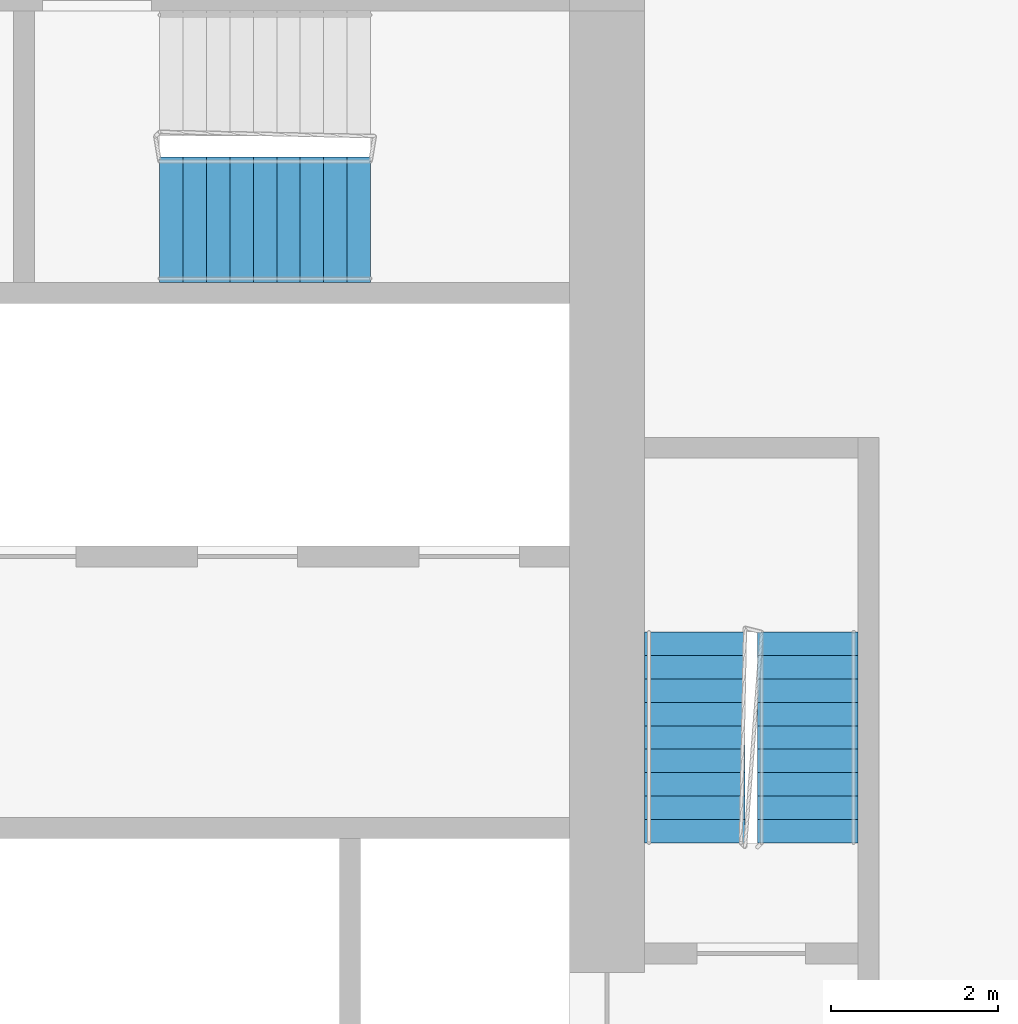
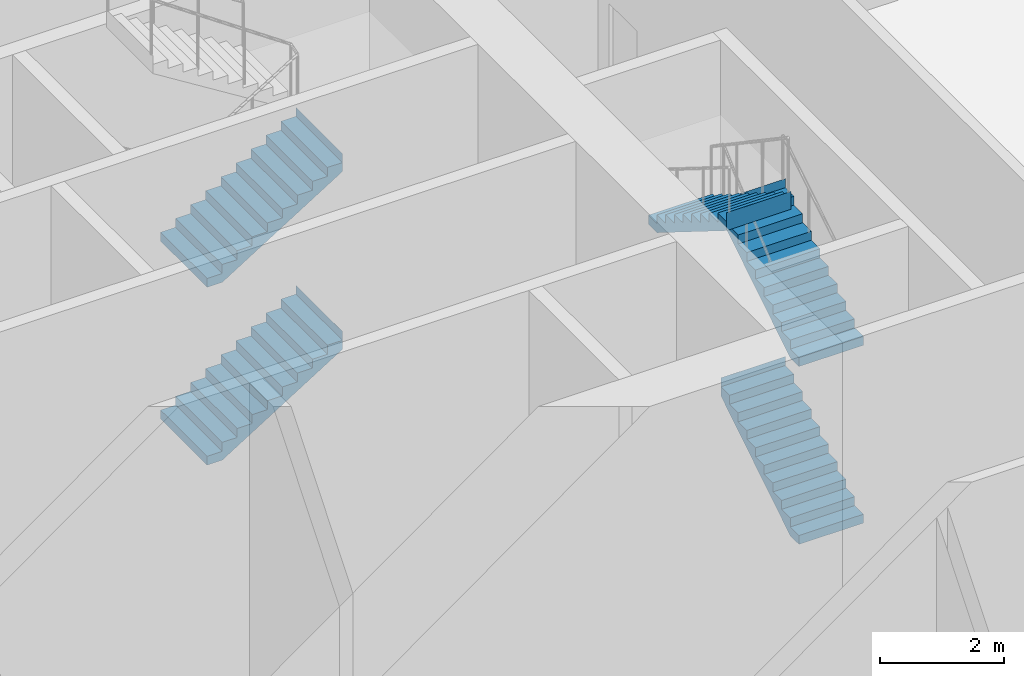
# One storey, part 20 of 23: 5 stair flights, 2 elements without a shape of their own.
"""IFC4 building model written with IfcOpenShell, lengths in metres."""

from ifc_helpers import new_model, si_unit, direction, frame, origin, place, context, subcontext, project, spatial, faceted_brep, material, type_object, element, aggregate, save


model = new_model("IFC4")

# Units and contexts
model_context = context("Model", 3, precision=1e-05, world=origin(), true_north=direction((0.0, 1.0)))
body_context = subcontext(model_context, "Body", "Model", "MODEL_VIEW")
ifc_project = project(units=[si_unit("LENGTHUNIT", "METRE"), si_unit("AREAUNIT", "SQUARE_METRE"), si_unit("VOLUMEUNIT", "CUBIC_METRE"), si_unit("PLANEANGLEUNIT", "RADIAN"), si_unit("MASSUNIT", "GRAM", prefix="KILO")], contexts=[model_context])

# Site, building, storey
site_placement = place(None, origin())
site = spatial("IfcSite", under=ifc_project, at=site_placement, CompositionType="ELEMENT")
building_placement = place(site_placement, origin())
building = spatial("IfcBuilding", under=site, at=building_placement, Name="Kajstack Hotel Tower", CompositionType="ELEMENT")
storey_placement = place(building_placement, frame((0.0, 0.0, 53.0)))
storey = spatial("IfcBuildingStorey", under=building, at=storey_placement, Name="L08", CompositionType="ELEMENT", Elevation=53.0)

# Stair, stair flights
ifc_material = material(Name="Concrete C40/50", Category="concrete")
stair_type_1 = type_object("IfcStairType", Name="Exit stair 1200", PredefinedType="HALF_TURN_STAIR", material=ifc_material)
stair_1_placement = place(storey_placement, origin())
stair_1 = element("IfcStair", 1, at=stair_1_placement, inside=storey, type_object=stair_type_1, Name="L08 stair E1", PredefinedType="HALF_TURN_STAIR")
stair_flight_type_1 = type_object("IfcStairFlightType", Name="Exit stair flight 1200", PredefinedType="STRAIGHT", material=ifc_material)
stair_flight_1_placement = place(storey_placement, frame((33.449951171875, 5.25, 0.0), z_axis=(0.0, 0.0, 1.0), x_axis=(0.0, 1.0, 0.0)))
stair_flight_1 = element("IfcStairFlight", 2, at=stair_flight_1_placement, type_object=stair_flight_type_1, Name="E1 flight 1", NumberOfRisers=10, NumberOfTreads=9, PredefinedType="STRAIGHT", RiserHeight=0.175, TreadLength=0.28, context=body_context, shape_type="Brep", body=[
    faceted_brep([(0.283447265625, -0.60009765625, 0.0), (2.5205078125, -0.60009765625, 1.398193359375), (2.5205078125, -0.60009765625, 1.75), (2.52001953125, -0.60009765625, 1.75), (2.52001953125, -0.60009765625, 1.574951171875), (2.239990234375, -0.60009765625, 1.574951171875), (2.239990234375, -0.60009765625, 1.39990234375), (1.9599609375, -0.60009765625, 1.39990234375), (1.9599609375, -0.60009765625, 1.22509765625), (1.679931640625, -0.60009765625, 1.22509765625), (1.679931640625, -0.60009765625, 1.050048828125), (1.39990234375, -0.60009765625, 1.050048828125), (1.39990234375, -0.60009765625, 0.875), (1.1201171875, -0.60009765625, 0.875), (1.1201171875, -0.60009765625, 0.699951171875), (0.840087890625, -0.60009765625, 0.699951171875), (0.840087890625, -0.60009765625, 0.52490234375), (0.56005859375, -0.60009765625, 0.52490234375), (0.56005859375, -0.60009765625, 0.35009765625), (0.280029296875, -0.60009765625, 0.35009765625), (0.280029296875, -0.60009765625, 0.175048828125), (-0.00048828125, -0.60009765625, 0.175048828125), (-0.00048828125, -0.60009765625, 0.0), (-0.00048828125, 0.60009765625, 0.0), (-0.00048828125, 0.60009765625, 0.175048828125), (0.280029296875, 0.60009765625, 0.175048828125), (0.280029296875, 0.60009765625, 0.35009765625), (0.56005859375, 0.60009765625, 0.35009765625), (0.56005859375, 0.60009765625, 0.52490234375), (0.840087890625, 0.60009765625, 0.52490234375), (0.840087890625, 0.60009765625, 0.699951171875), (1.1201171875, 0.60009765625, 0.699951171875), (1.1201171875, 0.60009765625, 0.875), (1.39990234375, 0.60009765625, 0.875), (1.39990234375, 0.60009765625, 1.050048828125), (1.679931640625, 0.60009765625, 1.050048828125), (1.679931640625, 0.60009765625, 1.22509765625), (1.9599609375, 0.60009765625, 1.22509765625), (1.9599609375, 0.60009765625, 1.39990234375), (2.239990234375, 0.60009765625, 1.39990234375), (2.239990234375, 0.60009765625, 1.574951171875), (2.52001953125, 0.60009765625, 1.574951171875), (2.52001953125, 0.60009765625, 1.75), (2.5205078125, 0.60009765625, 1.75), (2.5205078125, 0.60009765625, 1.398193359375), (0.283447265625, 0.60009765625, 0.0), (-0.00048828125, -0.300048828125, 0.175048828125), (-0.00048828125, 0.0, 0.175048828125), (-0.00048828125, 0.300048828125, 0.175048828125), (-0.00048828125, 0.300048828125, 0.0), (-0.00048828125, 0.0, 0.0), (-0.00048828125, -0.300048828125, 0.0), (0.280029296875, -0.300048828125, 0.175048828125), (0.280029296875, 0.0, 0.175048828125), (0.280029296875, 0.300048828125, 0.175048828125), (0.280029296875, -0.300048828125, 0.35009765625), (0.280029296875, 0.0, 0.35009765625), (0.280029296875, 0.300048828125, 0.35009765625), (0.56005859375, -0.300048828125, 0.35009765625), (0.56005859375, 0.0, 0.35009765625), (0.56005859375, 0.300048828125, 0.35009765625), (0.56005859375, -0.300048828125, 0.52490234375), (0.56005859375, 0.0, 0.52490234375), (0.56005859375, 0.300048828125, 0.52490234375), (0.840087890625, -0.300048828125, 0.52490234375), (0.840087890625, 0.0, 0.52490234375), (0.840087890625, 0.300048828125, 0.52490234375), (0.840087890625, -0.300048828125, 0.699951171875), (0.840087890625, 0.0, 0.699951171875), (0.840087890625, 0.300048828125, 0.699951171875), (1.1201171875, -0.300048828125, 0.699951171875), (1.1201171875, 0.0, 0.699951171875), (1.1201171875, 0.300048828125, 0.699951171875), (1.1201171875, -0.300048828125, 0.875), (1.1201171875, 0.0, 0.875), (1.1201171875, 0.300048828125, 0.875), (1.39990234375, -0.300048828125, 0.875), (1.39990234375, 0.0, 0.875), (1.39990234375, 0.300048828125, 0.875), (1.39990234375, -0.300048828125, 1.050048828125), (1.39990234375, 0.0, 1.050048828125), (1.39990234375, 0.300048828125, 1.050048828125), (1.679931640625, -0.300048828125, 1.050048828125), (1.679931640625, 0.0, 1.050048828125), (1.679931640625, 0.300048828125, 1.050048828125), (1.679931640625, -0.300048828125, 1.22509765625), (1.679931640625, 0.0, 1.22509765625), (1.679931640625, 0.300048828125, 1.22509765625), (1.9599609375, -0.300048828125, 1.22509765625), (1.9599609375, 0.0, 1.22509765625), (1.9599609375, 0.300048828125, 1.22509765625), (1.9599609375, -0.300048828125, 1.39990234375), (1.9599609375, 0.0, 1.39990234375), (1.9599609375, 0.300048828125, 1.39990234375), (2.239990234375, -0.300048828125, 1.39990234375), (2.239990234375, 0.0, 1.39990234375), (2.239990234375, 0.300048828125, 1.39990234375), (2.239990234375, -0.300048828125, 1.574951171875), (2.239990234375, 0.0, 1.574951171875), (2.239990234375, 0.300048828125, 1.574951171875), (2.52001953125, -0.300048828125, 1.574951171875), (2.52001953125, 0.0, 1.574951171875), (2.52001953125, 0.300048828125, 1.574951171875), (2.52001953125, -0.300048828125, 1.75), (2.52001953125, 0.0, 1.75), (2.52001953125, 0.300048828125, 1.75), (2.5205078125, -0.300048828125, 1.75), (2.5205078125, 0.0, 1.75), (2.5205078125, 0.300048828125, 1.75), (2.5205078125, -0.300048828125, 1.398193359375), (2.5205078125, 0.0, 1.398193359375), (2.5205078125, 0.300048828125, 1.398193359375), (0.283447265625, -0.300048828125, 0.0), (0.283447265625, 0.0, 0.0), (0.283447265625, 0.300048828125, 0.0)], [[[0, 1, 2, 3, 4, 5, 6, 7, 8, 9, 10, 11, 12, 13, 14, 15, 16, 17, 18, 19, 20, 21, 22]], [[23, 24, 25, 26, 27, 28, 29, 30, 31, 32, 33, 34, 35, 36, 37, 38, 39, 40, 41, 42, 43, 44, 45]], [[21, 46, 47, 48, 24, 23, 49, 50, 51, 22]], [[20, 52, 53, 54, 25, 24, 48, 47, 46, 21]], [[19, 55, 56, 57, 26, 25, 54, 53, 52, 20]], [[18, 58, 59, 60, 27, 26, 57, 56, 55, 19]], [[17, 61, 62, 63, 28, 27, 60, 59, 58, 18]], [[16, 64, 65, 66, 29, 28, 63, 62, 61, 17]], [[15, 67, 68, 69, 30, 29, 66, 65, 64, 16]], [[14, 70, 71, 72, 31, 30, 69, 68, 67, 15]], [[13, 73, 74, 75, 32, 31, 72, 71, 70, 14]], [[12, 76, 77, 78, 33, 32, 75, 74, 73, 13]], [[11, 79, 80, 81, 34, 33, 78, 77, 76, 12]], [[10, 82, 83, 84, 35, 34, 81, 80, 79, 11]], [[9, 85, 86, 87, 36, 35, 84, 83, 82, 10]], [[8, 88, 89, 90, 37, 36, 87, 86, 85, 9]], [[7, 91, 92, 93, 38, 37, 90, 89, 88, 8]], [[6, 94, 95, 96, 39, 38, 93, 92, 91, 7]], [[5, 97, 98, 99, 40, 39, 96, 95, 94, 6]], [[4, 100, 101, 102, 41, 40, 99, 98, 97, 5]], [[3, 103, 104, 105, 42, 41, 102, 101, 100, 4]], [[2, 106, 107, 108, 43, 42, 105, 104, 103, 3]], [[1, 109, 110, 111, 44, 43, 108, 107, 106, 2]], [[0, 112, 113, 114, 45, 44, 111, 110, 109, 1]], [[22, 51, 50, 49, 23, 45, 114, 113, 112, 0]]]),
])
stair_flight_2_placement = place(storey_placement, frame((33.449951171875, 5.25, 3.5), z_axis=(0.0, 0.0, 1.0), x_axis=(0.0, 1.0, 0.0)))
stair_flight_2 = element("IfcStairFlight", 3, at=stair_flight_2_placement, type_object=stair_flight_type_1, Name="E1 flight 3", NumberOfRisers=10, NumberOfTreads=9, PredefinedType="STRAIGHT", RiserHeight=0.175, TreadLength=0.28, context=body_context, shape_type="Brep", body=[
    faceted_brep([(0.283447265625, -0.60009765625, 0.0), (2.5205078125, -0.60009765625, 1.398193359375), (2.5205078125, -0.60009765625, 1.75), (2.52001953125, -0.60009765625, 1.75), (2.52001953125, -0.60009765625, 1.574951171875), (2.239990234375, -0.60009765625, 1.574951171875), (2.239990234375, -0.60009765625, 1.39990234375), (1.9599609375, -0.60009765625, 1.39990234375), (1.9599609375, -0.60009765625, 1.22509765625), (1.679931640625, -0.60009765625, 1.22509765625), (1.679931640625, -0.60009765625, 1.050048828125), (1.39990234375, -0.60009765625, 1.050048828125), (1.39990234375, -0.60009765625, 0.875), (1.1201171875, -0.60009765625, 0.875), (1.1201171875, -0.60009765625, 0.699951171875), (0.840087890625, -0.60009765625, 0.699951171875), (0.840087890625, -0.60009765625, 0.52490234375), (0.56005859375, -0.60009765625, 0.52490234375), (0.56005859375, -0.60009765625, 0.35009765625), (0.280029296875, -0.60009765625, 0.35009765625), (0.280029296875, -0.60009765625, 0.175048828125), (-0.00048828125, -0.60009765625, 0.175048828125), (-0.00048828125, -0.60009765625, 0.0), (-0.00048828125, 0.60009765625, 0.0), (-0.00048828125, 0.60009765625, 0.175048828125), (0.280029296875, 0.60009765625, 0.175048828125), (0.280029296875, 0.60009765625, 0.35009765625), (0.56005859375, 0.60009765625, 0.35009765625), (0.56005859375, 0.60009765625, 0.52490234375), (0.840087890625, 0.60009765625, 0.52490234375), (0.840087890625, 0.60009765625, 0.699951171875), (1.1201171875, 0.60009765625, 0.699951171875), (1.1201171875, 0.60009765625, 0.875), (1.39990234375, 0.60009765625, 0.875), (1.39990234375, 0.60009765625, 1.050048828125), (1.679931640625, 0.60009765625, 1.050048828125), (1.679931640625, 0.60009765625, 1.22509765625), (1.9599609375, 0.60009765625, 1.22509765625), (1.9599609375, 0.60009765625, 1.39990234375), (2.239990234375, 0.60009765625, 1.39990234375), (2.239990234375, 0.60009765625, 1.574951171875), (2.52001953125, 0.60009765625, 1.574951171875), (2.52001953125, 0.60009765625, 1.75), (2.5205078125, 0.60009765625, 1.75), (2.5205078125, 0.60009765625, 1.398193359375), (0.283447265625, 0.60009765625, 0.0), (-0.00048828125, -0.300048828125, 0.175048828125), (-0.00048828125, 0.0, 0.175048828125), (-0.00048828125, 0.300048828125, 0.175048828125), (-0.00048828125, 0.300048828125, 0.0), (-0.00048828125, 0.0, 0.0), (-0.00048828125, -0.300048828125, 0.0), (0.280029296875, -0.300048828125, 0.175048828125), (0.280029296875, 0.0, 0.175048828125), (0.280029296875, 0.300048828125, 0.175048828125), (0.280029296875, -0.300048828125, 0.35009765625), (0.280029296875, 0.0, 0.35009765625), (0.280029296875, 0.300048828125, 0.35009765625), (0.56005859375, -0.300048828125, 0.35009765625), (0.56005859375, 0.0, 0.35009765625), (0.56005859375, 0.300048828125, 0.35009765625), (0.56005859375, -0.300048828125, 0.52490234375), (0.56005859375, 0.0, 0.52490234375), (0.56005859375, 0.300048828125, 0.52490234375), (0.840087890625, -0.300048828125, 0.52490234375), (0.840087890625, 0.0, 0.52490234375), (0.840087890625, 0.300048828125, 0.52490234375), (0.840087890625, -0.300048828125, 0.699951171875), (0.840087890625, 0.0, 0.699951171875), (0.840087890625, 0.300048828125, 0.699951171875), (1.1201171875, -0.300048828125, 0.699951171875), (1.1201171875, 0.0, 0.699951171875), (1.1201171875, 0.300048828125, 0.699951171875), (1.1201171875, -0.300048828125, 0.875), (1.1201171875, 0.0, 0.875), (1.1201171875, 0.300048828125, 0.875), (1.39990234375, -0.300048828125, 0.875), (1.39990234375, 0.0, 0.875), (1.39990234375, 0.300048828125, 0.875), (1.39990234375, -0.300048828125, 1.050048828125), (1.39990234375, 0.0, 1.050048828125), (1.39990234375, 0.300048828125, 1.050048828125), (1.679931640625, -0.300048828125, 1.050048828125), (1.679931640625, 0.0, 1.050048828125), (1.679931640625, 0.300048828125, 1.050048828125), (1.679931640625, -0.300048828125, 1.22509765625), (1.679931640625, 0.0, 1.22509765625), (1.679931640625, 0.300048828125, 1.22509765625), (1.9599609375, -0.300048828125, 1.22509765625), (1.9599609375, 0.0, 1.22509765625), (1.9599609375, 0.300048828125, 1.22509765625), (1.9599609375, -0.300048828125, 1.39990234375), (1.9599609375, 0.0, 1.39990234375), (1.9599609375, 0.300048828125, 1.39990234375), (2.239990234375, -0.300048828125, 1.39990234375), (2.239990234375, 0.0, 1.39990234375), (2.239990234375, 0.300048828125, 1.39990234375), (2.239990234375, -0.300048828125, 1.574951171875), (2.239990234375, 0.0, 1.574951171875), (2.239990234375, 0.300048828125, 1.574951171875), (2.52001953125, -0.300048828125, 1.574951171875), (2.52001953125, 0.0, 1.574951171875), (2.52001953125, 0.300048828125, 1.574951171875), (2.52001953125, -0.300048828125, 1.75), (2.52001953125, 0.0, 1.75), (2.52001953125, 0.300048828125, 1.75), (2.5205078125, -0.300048828125, 1.75), (2.5205078125, 0.0, 1.75), (2.5205078125, 0.300048828125, 1.75), (2.5205078125, -0.300048828125, 1.398193359375), (2.5205078125, 0.0, 1.398193359375), (2.5205078125, 0.300048828125, 1.398193359375), (0.283447265625, -0.300048828125, 0.0), (0.283447265625, 0.0, 0.0), (0.283447265625, 0.300048828125, 0.0)], [[[0, 1, 2, 3, 4, 5, 6, 7, 8, 9, 10, 11, 12, 13, 14, 15, 16, 17, 18, 19, 20, 21, 22]], [[23, 24, 25, 26, 27, 28, 29, 30, 31, 32, 33, 34, 35, 36, 37, 38, 39, 40, 41, 42, 43, 44, 45]], [[21, 46, 47, 48, 24, 23, 49, 50, 51, 22]], [[20, 52, 53, 54, 25, 24, 48, 47, 46, 21]], [[19, 55, 56, 57, 26, 25, 54, 53, 52, 20]], [[18, 58, 59, 60, 27, 26, 57, 56, 55, 19]], [[17, 61, 62, 63, 28, 27, 60, 59, 58, 18]], [[16, 64, 65, 66, 29, 28, 63, 62, 61, 17]], [[15, 67, 68, 69, 30, 29, 66, 65, 64, 16]], [[14, 70, 71, 72, 31, 30, 69, 68, 67, 15]], [[13, 73, 74, 75, 32, 31, 72, 71, 70, 14]], [[12, 76, 77, 78, 33, 32, 75, 74, 73, 13]], [[11, 79, 80, 81, 34, 33, 78, 77, 76, 12]], [[10, 82, 83, 84, 35, 34, 81, 80, 79, 11]], [[9, 85, 86, 87, 36, 35, 84, 83, 82, 10]], [[8, 88, 89, 90, 37, 36, 87, 86, 85, 9]], [[7, 91, 92, 93, 38, 37, 90, 89, 88, 8]], [[6, 94, 95, 96, 39, 38, 93, 92, 91, 7]], [[5, 97, 98, 99, 40, 39, 96, 95, 94, 6]], [[4, 100, 101, 102, 41, 40, 99, 98, 97, 5]], [[3, 103, 104, 105, 42, 41, 102, 101, 100, 4]], [[2, 106, 107, 108, 43, 42, 105, 104, 103, 3]], [[1, 109, 110, 111, 44, 43, 108, 107, 106, 2]], [[0, 112, 113, 114, 45, 44, 111, 110, 109, 1]], [[22, 51, 50, 49, 23, 45, 114, 113, 112, 0]]]),
])
stair_flight_3_placement = place(storey_placement, frame((32.10009765625, 7.77001953125, 5.25), z_axis=(0.0, 0.0, 1.0), x_axis=(0.0, -1.0, 0.0)))
stair_flight_3 = element("IfcStairFlight", 4, at=stair_flight_3_placement, type_object=stair_flight_type_1, Name="E1 flight 4", NumberOfRisers=10, NumberOfTreads=9, PredefinedType="STRAIGHT", RiserHeight=0.175, TreadLength=0.28, context=body_context, shape_type="Brep", body=[
    faceted_brep([(0.283447265625, -0.60009765625, 0.0), (2.5205078125, -0.60009765625, 1.398193359375), (2.5205078125, -0.60009765625, 1.75), (2.52001953125, -0.60009765625, 1.75), (2.52001953125, -0.60009765625, 1.574951171875), (2.239990234375, -0.60009765625, 1.574951171875), (2.239990234375, -0.60009765625, 1.39990234375), (1.9599609375, -0.60009765625, 1.39990234375), (1.9599609375, -0.60009765625, 1.22509765625), (1.679931640625, -0.60009765625, 1.22509765625), (1.679931640625, -0.60009765625, 1.050048828125), (1.39990234375, -0.60009765625, 1.050048828125), (1.39990234375, -0.60009765625, 0.875), (1.1201171875, -0.60009765625, 0.875), (1.1201171875, -0.60009765625, 0.699951171875), (0.840087890625, -0.60009765625, 0.699951171875), (0.840087890625, -0.60009765625, 0.52490234375), (0.56005859375, -0.60009765625, 0.52490234375), (0.56005859375, -0.60009765625, 0.35009765625), (0.280029296875, -0.60009765625, 0.35009765625), (0.280029296875, -0.60009765625, 0.175048828125), (-0.00048828125, -0.60009765625, 0.175048828125), (-0.00048828125, -0.60009765625, 0.0), (-0.00048828125, 0.60009765625, 0.0), (-0.00048828125, 0.60009765625, 0.175048828125), (0.280029296875, 0.60009765625, 0.175048828125), (0.280029296875, 0.60009765625, 0.35009765625), (0.56005859375, 0.60009765625, 0.35009765625), (0.56005859375, 0.60009765625, 0.52490234375), (0.840087890625, 0.60009765625, 0.52490234375), (0.840087890625, 0.60009765625, 0.699951171875), (1.1201171875, 0.60009765625, 0.699951171875), (1.1201171875, 0.60009765625, 0.875), (1.39990234375, 0.60009765625, 0.875), (1.39990234375, 0.60009765625, 1.050048828125), (1.679931640625, 0.60009765625, 1.050048828125), (1.679931640625, 0.60009765625, 1.22509765625), (1.9599609375, 0.60009765625, 1.22509765625), (1.9599609375, 0.60009765625, 1.39990234375), (2.239990234375, 0.60009765625, 1.39990234375), (2.239990234375, 0.60009765625, 1.574951171875), (2.52001953125, 0.60009765625, 1.574951171875), (2.52001953125, 0.60009765625, 1.75), (2.5205078125, 0.60009765625, 1.75), (2.5205078125, 0.60009765625, 1.398193359375), (0.283447265625, 0.60009765625, 0.0), (-0.00048828125, -0.300048828125, 0.175048828125), (-0.00048828125, 0.0, 0.175048828125), (-0.00048828125, 0.300048828125, 0.175048828125), (-0.00048828125, 0.300048828125, 0.0), (-0.00048828125, 0.0, 0.0), (-0.00048828125, -0.300048828125, 0.0), (0.280029296875, -0.300048828125, 0.175048828125), (0.280029296875, 0.0, 0.175048828125), (0.280029296875, 0.300048828125, 0.175048828125), (0.280029296875, -0.300048828125, 0.35009765625), (0.280029296875, 0.0, 0.35009765625), (0.280029296875, 0.300048828125, 0.35009765625), (0.56005859375, -0.300048828125, 0.35009765625), (0.56005859375, 0.0, 0.35009765625), (0.56005859375, 0.300048828125, 0.35009765625), (0.56005859375, -0.300048828125, 0.52490234375), (0.56005859375, 0.0, 0.52490234375), (0.56005859375, 0.300048828125, 0.52490234375), (0.840087890625, -0.300048828125, 0.52490234375), (0.840087890625, 0.0, 0.52490234375), (0.840087890625, 0.300048828125, 0.52490234375), (0.840087890625, -0.300048828125, 0.699951171875), (0.840087890625, 0.0, 0.699951171875), (0.840087890625, 0.300048828125, 0.699951171875), (1.1201171875, -0.300048828125, 0.699951171875), (1.1201171875, 0.0, 0.699951171875), (1.1201171875, 0.300048828125, 0.699951171875), (1.1201171875, -0.300048828125, 0.875), (1.1201171875, 0.0, 0.875), (1.1201171875, 0.300048828125, 0.875), (1.39990234375, -0.300048828125, 0.875), (1.39990234375, 0.0, 0.875), (1.39990234375, 0.300048828125, 0.875), (1.39990234375, -0.300048828125, 1.050048828125), (1.39990234375, 0.0, 1.050048828125), (1.39990234375, 0.300048828125, 1.050048828125), (1.679931640625, -0.300048828125, 1.050048828125), (1.679931640625, 0.0, 1.050048828125), (1.679931640625, 0.300048828125, 1.050048828125), (1.679931640625, -0.300048828125, 1.22509765625), (1.679931640625, 0.0, 1.22509765625), (1.679931640625, 0.300048828125, 1.22509765625), (1.9599609375, -0.300048828125, 1.22509765625), (1.9599609375, 0.0, 1.22509765625), (1.9599609375, 0.300048828125, 1.22509765625), (1.9599609375, -0.300048828125, 1.39990234375), (1.9599609375, 0.0, 1.39990234375), (1.9599609375, 0.300048828125, 1.39990234375), (2.239990234375, -0.300048828125, 1.39990234375), (2.239990234375, 0.0, 1.39990234375), (2.239990234375, 0.300048828125, 1.39990234375), (2.239990234375, -0.300048828125, 1.574951171875), (2.239990234375, 0.0, 1.574951171875), (2.239990234375, 0.300048828125, 1.574951171875), (2.52001953125, -0.300048828125, 1.574951171875), (2.52001953125, 0.0, 1.574951171875), (2.52001953125, 0.300048828125, 1.574951171875), (2.52001953125, -0.300048828125, 1.75), (2.52001953125, 0.0, 1.75), (2.52001953125, 0.300048828125, 1.75), (2.5205078125, -0.300048828125, 1.75), (2.5205078125, 0.0, 1.75), (2.5205078125, 0.300048828125, 1.75), (2.5205078125, -0.300048828125, 1.398193359375), (2.5205078125, 0.0, 1.398193359375), (2.5205078125, 0.300048828125, 1.398193359375), (0.283447265625, -0.300048828125, 0.0), (0.283447265625, 0.0, 0.0), (0.283447265625, 0.300048828125, 0.0)], [[[0, 1, 2, 3, 4, 5, 6, 7, 8, 9, 10, 11, 12, 13, 14, 15, 16, 17, 18, 19, 20, 21, 22]], [[23, 24, 25, 26, 27, 28, 29, 30, 31, 32, 33, 34, 35, 36, 37, 38, 39, 40, 41, 42, 43, 44, 45]], [[21, 46, 47, 48, 24, 23, 49, 50, 51, 22]], [[20, 52, 53, 54, 25, 24, 48, 47, 46, 21]], [[19, 55, 56, 57, 26, 25, 54, 53, 52, 20]], [[18, 58, 59, 60, 27, 26, 57, 56, 55, 19]], [[17, 61, 62, 63, 28, 27, 60, 59, 58, 18]], [[16, 64, 65, 66, 29, 28, 63, 62, 61, 17]], [[15, 67, 68, 69, 30, 29, 66, 65, 64, 16]], [[14, 70, 71, 72, 31, 30, 69, 68, 67, 15]], [[13, 73, 74, 75, 32, 31, 72, 71, 70, 14]], [[12, 76, 77, 78, 33, 32, 75, 74, 73, 13]], [[11, 79, 80, 81, 34, 33, 78, 77, 76, 12]], [[10, 82, 83, 84, 35, 34, 81, 80, 79, 11]], [[9, 85, 86, 87, 36, 35, 84, 83, 82, 10]], [[8, 88, 89, 90, 37, 36, 87, 86, 85, 9]], [[7, 91, 92, 93, 38, 37, 90, 89, 88, 8]], [[6, 94, 95, 96, 39, 38, 93, 92, 91, 7]], [[5, 97, 98, 99, 40, 39, 96, 95, 94, 6]], [[4, 100, 101, 102, 41, 40, 99, 98, 97, 5]], [[3, 103, 104, 105, 42, 41, 102, 101, 100, 4]], [[2, 106, 107, 108, 43, 42, 105, 104, 103, 3]], [[1, 109, 110, 111, 44, 43, 108, 107, 106, 2]], [[0, 112, 113, 114, 45, 44, 111, 110, 109, 1]], [[22, 51, 50, 49, 23, 45, 114, 113, 112, 0]]]),
])
aggregate(stair_1, [stair_flight_1, stair_flight_2, stair_flight_3])

stair_type_2 = type_object("IfcStairType", Name="Exit stair 1500", PredefinedType="HALF_TURN_STAIR", material=ifc_material)
stair_2_placement = place(storey_placement, origin())
stair_2 = element("IfcStair", 5, at=stair_2_placement, inside=storey, type_object=stair_type_2, Name="L08 stair E3", PredefinedType="HALF_TURN_STAIR")
stair_flight_type_2 = type_object("IfcStairFlightType", Name="Exit stair flight 1500", PredefinedType="STRAIGHT", material=ifc_material)
stair_flight_4_placement = place(storey_placement, frame((25.699951171875, 12.699951171875, 0.0), z_axis=(0.0, 0.0, 1.0), x_axis=(1.0, 0.0, 0.0)))
stair_flight_4 = element("IfcStairFlight", 6, at=stair_flight_4_placement, type_object=stair_flight_type_2, Name="E3 flight 1", NumberOfRisers=10, NumberOfTreads=9, PredefinedType="STRAIGHT", RiserHeight=0.175, TreadLength=0.28, context=body_context, shape_type="Brep", body=[
    faceted_brep([(0.283447265625, -0.75, 0.0), (2.5205078125, -0.75, 1.398193359375), (2.5205078125, -0.75, 1.75), (2.52001953125, -0.75, 1.75), (2.52001953125, -0.75, 1.574951171875), (2.239990234375, -0.75, 1.574951171875), (2.239990234375, -0.75, 1.39990234375), (1.9599609375, -0.75, 1.39990234375), (1.9599609375, -0.75, 1.22509765625), (1.679931640625, -0.75, 1.22509765625), (1.679931640625, -0.75, 1.050048828125), (1.39990234375, -0.75, 1.050048828125), (1.39990234375, -0.75, 0.875), (1.1201171875, -0.75, 0.875), (1.1201171875, -0.75, 0.699951171875), (0.840087890625, -0.75, 0.699951171875), (0.840087890625, -0.75, 0.52490234375), (0.56005859375, -0.75, 0.52490234375), (0.56005859375, -0.75, 0.35009765625), (0.280029296875, -0.75, 0.35009765625), (0.280029296875, -0.75, 0.175048828125), (-0.00048828125, -0.75, 0.175048828125), (-0.00048828125, -0.75, 0.0), (-0.00048828125, 0.75, 0.0), (-0.00048828125, 0.75, 0.175048828125), (0.280029296875, 0.75, 0.175048828125), (0.280029296875, 0.75, 0.35009765625), (0.56005859375, 0.75, 0.35009765625), (0.56005859375, 0.75, 0.52490234375), (0.840087890625, 0.75, 0.52490234375), (0.840087890625, 0.75, 0.699951171875), (1.1201171875, 0.75, 0.699951171875), (1.1201171875, 0.75, 0.875), (1.39990234375, 0.75, 0.875), (1.39990234375, 0.75, 1.050048828125), (1.679931640625, 0.75, 1.050048828125), (1.679931640625, 0.75, 1.22509765625), (1.9599609375, 0.75, 1.22509765625), (1.9599609375, 0.75, 1.39990234375), (2.239990234375, 0.75, 1.39990234375), (2.239990234375, 0.75, 1.574951171875), (2.52001953125, 0.75, 1.574951171875), (2.52001953125, 0.75, 1.75), (2.5205078125, 0.75, 1.75), (2.5205078125, 0.75, 1.398193359375), (0.283447265625, 0.75, 0.0), (-0.00048828125, -0.375, 0.175048828125), (-0.00048828125, 0.0, 0.175048828125), (-0.00048828125, 0.375, 0.175048828125), (-0.00048828125, 0.375, 0.0), (-0.00048828125, 0.0, 0.0), (-0.00048828125, -0.375, 0.0), (0.280029296875, -0.375, 0.175048828125), (0.280029296875, 0.0, 0.175048828125), (0.280029296875, 0.375, 0.175048828125), (0.280029296875, -0.375, 0.35009765625), (0.280029296875, 0.0, 0.35009765625), (0.280029296875, 0.375, 0.35009765625), (0.56005859375, -0.375, 0.35009765625), (0.56005859375, 0.0, 0.35009765625), (0.56005859375, 0.375, 0.35009765625), (0.56005859375, -0.375, 0.52490234375), (0.56005859375, 0.0, 0.52490234375), (0.56005859375, 0.375, 0.52490234375), (0.840087890625, -0.375, 0.52490234375), (0.840087890625, 0.0, 0.52490234375), (0.840087890625, 0.375, 0.52490234375), (0.840087890625, -0.375, 0.699951171875), (0.840087890625, 0.0, 0.699951171875), (0.840087890625, 0.375, 0.699951171875), (1.1201171875, -0.375, 0.699951171875), (1.1201171875, 0.0, 0.699951171875), (1.1201171875, 0.375, 0.699951171875), (1.1201171875, -0.375, 0.875), (1.1201171875, 0.0, 0.875), (1.1201171875, 0.375, 0.875), (1.39990234375, -0.375, 0.875), (1.39990234375, 0.0, 0.875), (1.39990234375, 0.375, 0.875), (1.39990234375, -0.375, 1.050048828125), (1.39990234375, 0.0, 1.050048828125), (1.39990234375, 0.375, 1.050048828125), (1.679931640625, -0.375, 1.050048828125), (1.679931640625, 0.0, 1.050048828125), (1.679931640625, 0.375, 1.050048828125), (1.679931640625, -0.375, 1.22509765625), (1.679931640625, 0.0, 1.22509765625), (1.679931640625, 0.375, 1.22509765625), (1.9599609375, -0.375, 1.22509765625), (1.9599609375, 0.0, 1.22509765625), (1.9599609375, 0.375, 1.22509765625), (1.9599609375, -0.375, 1.39990234375), (1.9599609375, 0.0, 1.39990234375), (1.9599609375, 0.375, 1.39990234375), (2.239990234375, -0.375, 1.39990234375), (2.239990234375, 0.0, 1.39990234375), (2.239990234375, 0.375, 1.39990234375), (2.239990234375, -0.375, 1.574951171875), (2.239990234375, 0.0, 1.574951171875), (2.239990234375, 0.375, 1.574951171875), (2.52001953125, -0.375, 1.574951171875), (2.52001953125, 0.0, 1.574951171875), (2.52001953125, 0.375, 1.574951171875), (2.52001953125, -0.375, 1.75), (2.52001953125, 0.0, 1.75), (2.52001953125, 0.375, 1.75), (2.5205078125, -0.375, 1.75), (2.5205078125, 0.0, 1.75), (2.5205078125, 0.375, 1.75), (2.5205078125, -0.375, 1.398193359375), (2.5205078125, 0.0, 1.398193359375), (2.5205078125, 0.375, 1.398193359375), (0.283447265625, -0.375, 0.0), (0.283447265625, 0.0, 0.0), (0.283447265625, 0.375, 0.0)], [[[0, 1, 2, 3, 4, 5, 6, 7, 8, 9, 10, 11, 12, 13, 14, 15, 16, 17, 18, 19, 20, 21, 22]], [[23, 24, 25, 26, 27, 28, 29, 30, 31, 32, 33, 34, 35, 36, 37, 38, 39, 40, 41, 42, 43, 44, 45]], [[21, 46, 47, 48, 24, 23, 49, 50, 51, 22]], [[20, 52, 53, 54, 25, 24, 48, 47, 46, 21]], [[19, 55, 56, 57, 26, 25, 54, 53, 52, 20]], [[18, 58, 59, 60, 27, 26, 57, 56, 55, 19]], [[17, 61, 62, 63, 28, 27, 60, 59, 58, 18]], [[16, 64, 65, 66, 29, 28, 63, 62, 61, 17]], [[15, 67, 68, 69, 30, 29, 66, 65, 64, 16]], [[14, 70, 71, 72, 31, 30, 69, 68, 67, 15]], [[13, 73, 74, 75, 32, 31, 72, 71, 70, 14]], [[12, 76, 77, 78, 33, 32, 75, 74, 73, 13]], [[11, 79, 80, 81, 34, 33, 78, 77, 76, 12]], [[10, 82, 83, 84, 35, 34, 81, 80, 79, 11]], [[9, 85, 86, 87, 36, 35, 84, 83, 82, 10]], [[8, 88, 89, 90, 37, 36, 87, 86, 85, 9]], [[7, 91, 92, 93, 38, 37, 90, 89, 88, 8]], [[6, 94, 95, 96, 39, 38, 93, 92, 91, 7]], [[5, 97, 98, 99, 40, 39, 96, 95, 94, 6]], [[4, 100, 101, 102, 41, 40, 99, 98, 97, 5]], [[3, 103, 104, 105, 42, 41, 102, 101, 100, 4]], [[2, 106, 107, 108, 43, 42, 105, 104, 103, 3]], [[1, 109, 110, 111, 44, 43, 108, 107, 106, 2]], [[0, 112, 113, 114, 45, 44, 111, 110, 109, 1]], [[22, 51, 50, 49, 23, 45, 114, 113, 112, 0]]]),
])
stair_flight_5_placement = place(storey_placement, frame((25.699951171875, 12.699951171875, 3.5), z_axis=(0.0, 0.0, 1.0), x_axis=(1.0, 0.0, 0.0)))
stair_flight_5 = element("IfcStairFlight", 7, at=stair_flight_5_placement, type_object=stair_flight_type_2, Name="E3 flight 3", NumberOfRisers=10, NumberOfTreads=9, PredefinedType="STRAIGHT", RiserHeight=0.175, TreadLength=0.28, context=body_context, shape_type="Brep", body=[
    faceted_brep([(0.283447265625, -0.75, 0.0), (2.5205078125, -0.75, 1.398193359375), (2.5205078125, -0.75, 1.75), (2.52001953125, -0.75, 1.75), (2.52001953125, -0.75, 1.574951171875), (2.239990234375, -0.75, 1.574951171875), (2.239990234375, -0.75, 1.39990234375), (1.9599609375, -0.75, 1.39990234375), (1.9599609375, -0.75, 1.22509765625), (1.679931640625, -0.75, 1.22509765625), (1.679931640625, -0.75, 1.050048828125), (1.39990234375, -0.75, 1.050048828125), (1.39990234375, -0.75, 0.875), (1.1201171875, -0.75, 0.875), (1.1201171875, -0.75, 0.699951171875), (0.840087890625, -0.75, 0.699951171875), (0.840087890625, -0.75, 0.52490234375), (0.56005859375, -0.75, 0.52490234375), (0.56005859375, -0.75, 0.35009765625), (0.280029296875, -0.75, 0.35009765625), (0.280029296875, -0.75, 0.175048828125), (-0.00048828125, -0.75, 0.175048828125), (-0.00048828125, -0.75, 0.0), (-0.00048828125, 0.75, 0.0), (-0.00048828125, 0.75, 0.175048828125), (0.280029296875, 0.75, 0.175048828125), (0.280029296875, 0.75, 0.35009765625), (0.56005859375, 0.75, 0.35009765625), (0.56005859375, 0.75, 0.52490234375), (0.840087890625, 0.75, 0.52490234375), (0.840087890625, 0.75, 0.699951171875), (1.1201171875, 0.75, 0.699951171875), (1.1201171875, 0.75, 0.875), (1.39990234375, 0.75, 0.875), (1.39990234375, 0.75, 1.050048828125), (1.679931640625, 0.75, 1.050048828125), (1.679931640625, 0.75, 1.22509765625), (1.9599609375, 0.75, 1.22509765625), (1.9599609375, 0.75, 1.39990234375), (2.239990234375, 0.75, 1.39990234375), (2.239990234375, 0.75, 1.574951171875), (2.52001953125, 0.75, 1.574951171875), (2.52001953125, 0.75, 1.75), (2.5205078125, 0.75, 1.75), (2.5205078125, 0.75, 1.398193359375), (0.283447265625, 0.75, 0.0), (-0.00048828125, -0.375, 0.175048828125), (-0.00048828125, 0.0, 0.175048828125), (-0.00048828125, 0.375, 0.175048828125), (-0.00048828125, 0.375, 0.0), (-0.00048828125, 0.0, 0.0), (-0.00048828125, -0.375, 0.0), (0.280029296875, -0.375, 0.175048828125), (0.280029296875, 0.0, 0.175048828125), (0.280029296875, 0.375, 0.175048828125), (0.280029296875, -0.375, 0.35009765625), (0.280029296875, 0.0, 0.35009765625), (0.280029296875, 0.375, 0.35009765625), (0.56005859375, -0.375, 0.35009765625), (0.56005859375, 0.0, 0.35009765625), (0.56005859375, 0.375, 0.35009765625), (0.56005859375, -0.375, 0.52490234375), (0.56005859375, 0.0, 0.52490234375), (0.56005859375, 0.375, 0.52490234375), (0.840087890625, -0.375, 0.52490234375), (0.840087890625, 0.0, 0.52490234375), (0.840087890625, 0.375, 0.52490234375), (0.840087890625, -0.375, 0.699951171875), (0.840087890625, 0.0, 0.699951171875), (0.840087890625, 0.375, 0.699951171875), (1.1201171875, -0.375, 0.699951171875), (1.1201171875, 0.0, 0.699951171875), (1.1201171875, 0.375, 0.699951171875), (1.1201171875, -0.375, 0.875), (1.1201171875, 0.0, 0.875), (1.1201171875, 0.375, 0.875), (1.39990234375, -0.375, 0.875), (1.39990234375, 0.0, 0.875), (1.39990234375, 0.375, 0.875), (1.39990234375, -0.375, 1.050048828125), (1.39990234375, 0.0, 1.050048828125), (1.39990234375, 0.375, 1.050048828125), (1.679931640625, -0.375, 1.050048828125), (1.679931640625, 0.0, 1.050048828125), (1.679931640625, 0.375, 1.050048828125), (1.679931640625, -0.375, 1.22509765625), (1.679931640625, 0.0, 1.22509765625), (1.679931640625, 0.375, 1.22509765625), (1.9599609375, -0.375, 1.22509765625), (1.9599609375, 0.0, 1.22509765625), (1.9599609375, 0.375, 1.22509765625), (1.9599609375, -0.375, 1.39990234375), (1.9599609375, 0.0, 1.39990234375), (1.9599609375, 0.375, 1.39990234375), (2.239990234375, -0.375, 1.39990234375), (2.239990234375, 0.0, 1.39990234375), (2.239990234375, 0.375, 1.39990234375), (2.239990234375, -0.375, 1.574951171875), (2.239990234375, 0.0, 1.574951171875), (2.239990234375, 0.375, 1.574951171875), (2.52001953125, -0.375, 1.574951171875), (2.52001953125, 0.0, 1.574951171875), (2.52001953125, 0.375, 1.574951171875), (2.52001953125, -0.375, 1.75), (2.52001953125, 0.0, 1.75), (2.52001953125, 0.375, 1.75), (2.5205078125, -0.375, 1.75), (2.5205078125, 0.0, 1.75), (2.5205078125, 0.375, 1.75), (2.5205078125, -0.375, 1.398193359375), (2.5205078125, 0.0, 1.398193359375), (2.5205078125, 0.375, 1.398193359375), (0.283447265625, -0.375, 0.0), (0.283447265625, 0.0, 0.0), (0.283447265625, 0.375, 0.0)], [[[0, 1, 2, 3, 4, 5, 6, 7, 8, 9, 10, 11, 12, 13, 14, 15, 16, 17, 18, 19, 20, 21, 22]], [[23, 24, 25, 26, 27, 28, 29, 30, 31, 32, 33, 34, 35, 36, 37, 38, 39, 40, 41, 42, 43, 44, 45]], [[21, 46, 47, 48, 24, 23, 49, 50, 51, 22]], [[20, 52, 53, 54, 25, 24, 48, 47, 46, 21]], [[19, 55, 56, 57, 26, 25, 54, 53, 52, 20]], [[18, 58, 59, 60, 27, 26, 57, 56, 55, 19]], [[17, 61, 62, 63, 28, 27, 60, 59, 58, 18]], [[16, 64, 65, 66, 29, 28, 63, 62, 61, 17]], [[15, 67, 68, 69, 30, 29, 66, 65, 64, 16]], [[14, 70, 71, 72, 31, 30, 69, 68, 67, 15]], [[13, 73, 74, 75, 32, 31, 72, 71, 70, 14]], [[12, 76, 77, 78, 33, 32, 75, 74, 73, 13]], [[11, 79, 80, 81, 34, 33, 78, 77, 76, 12]], [[10, 82, 83, 84, 35, 34, 81, 80, 79, 11]], [[9, 85, 86, 87, 36, 35, 84, 83, 82, 10]], [[8, 88, 89, 90, 37, 36, 87, 86, 85, 9]], [[7, 91, 92, 93, 38, 37, 90, 89, 88, 8]], [[6, 94, 95, 96, 39, 38, 93, 92, 91, 7]], [[5, 97, 98, 99, 40, 39, 96, 95, 94, 6]], [[4, 100, 101, 102, 41, 40, 99, 98, 97, 5]], [[3, 103, 104, 105, 42, 41, 102, 101, 100, 4]], [[2, 106, 107, 108, 43, 42, 105, 104, 103, 3]], [[1, 109, 110, 111, 44, 43, 108, 107, 106, 2]], [[0, 112, 113, 114, 45, 44, 111, 110, 109, 1]], [[22, 51, 50, 49, 23, 45, 114, 113, 112, 0]]]),
])
aggregate(stair_2, [stair_flight_4, stair_flight_5])

save(model, "model.ifc")
